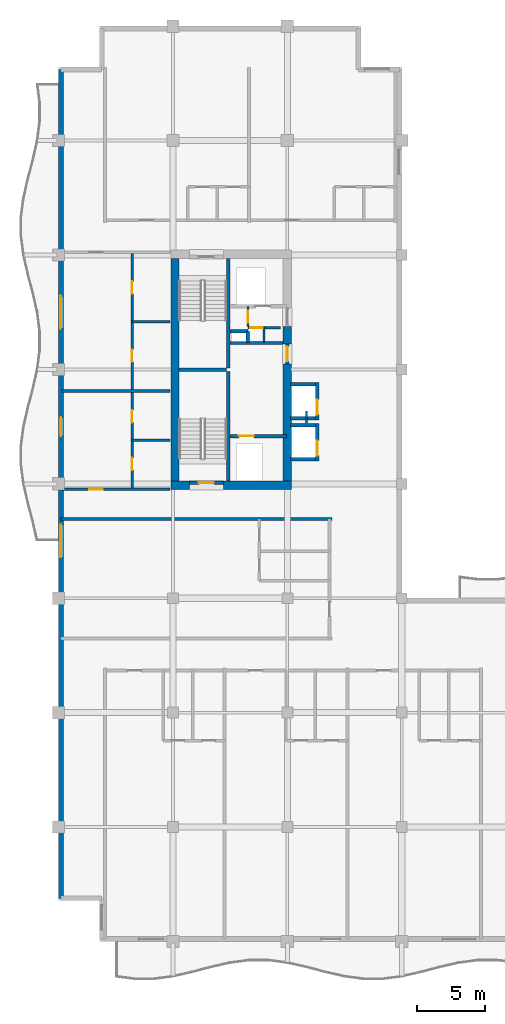
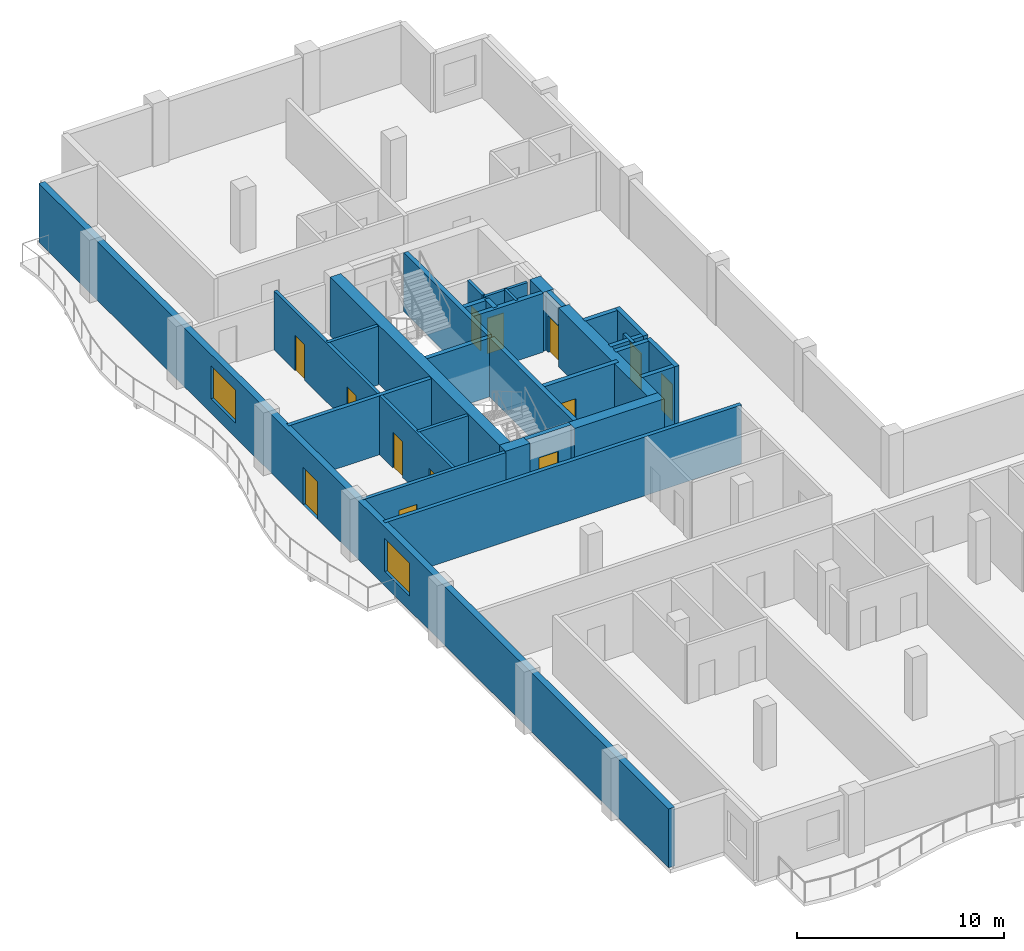
# One storey, part 6 of 12: 32 walls, 13 doors, 2 windows, 15 openings.
"""IFC4 building model written with IfcOpenShell, lengths in metres."""

from ifc_helpers import new_model, si_unit, direction, frame, frame_2d, origin, place, context, subcontext, project, spatial, rectangle, extrude, material, layer, layer_set, type_object, element, fill, save


model = new_model("IFC4")

# Units and contexts
model_context = context("Model", 3, precision=1e-05, world=origin(), true_north=direction((0.0, 1.0)))
body_context = subcontext(model_context, "Body", "Model", "MODEL_VIEW")
ifc_project = project(units=[si_unit("LENGTHUNIT", "METRE"), si_unit("AREAUNIT", "SQUARE_METRE"), si_unit("VOLUMEUNIT", "CUBIC_METRE"), si_unit("PLANEANGLEUNIT", "RADIAN"), si_unit("MASSUNIT", "GRAM", prefix="KILO")], contexts=[model_context])

# Site, building, storey
site_placement = place(None, origin())
site = spatial("IfcSite", under=ifc_project, at=site_placement, CompositionType="ELEMENT")
building_placement = place(site_placement, origin())
building = spatial("IfcBuilding", under=site, at=building_placement, Name="Koriwani Terraces Tower", CompositionType="ELEMENT")
storey_placement = place(building_placement, frame((0.0, 0.0, 241.60009765625)))
storey = spatial("IfcBuildingStorey", under=building, at=storey_placement, Name="L59", CompositionType="ELEMENT", Elevation=241.60009765625)

# Walls
ifc_material_1 = material(Name="Concrete C60/75", Category="concrete")
ifc_layer_1 = layer(ifc_material_1, 0.60009765625, Name="Concrete C60/75")
ifc_layer_set_1 = layer_set([ifc_layer_1], Name="Concrete C60/75")
wall_type_1 = type_object("IfcWallType", Name="WALL_CORE_RC_600", PredefinedType="SHEAR", material=ifc_layer_set_1)
wall_1_placement = place(storey_placement, frame((16.64990234375, 41.89990234375, 0.0), z_axis=(0.0, 0.0, 1.0), x_axis=(1.0, 0.0, 0.0)))
element("IfcWall", 1, at=wall_1_placement, inside=storey, type_object=wall_type_1, Name="L59 West Split Core Shear Wall S1", PredefinedType="SHEAR", context=body_context, shape_type="SweptSolid", body=[
    extrude(rectangle(XDim=1.35009765625, YDim=0.60009765625, at=frame_2d((0.675048828125, 0.0))), origin(), (0.0, 0.0, 1.0), 3.469970703125),
])
wall_2_placement = place(storey_placement, frame((20.5, 41.89990234375, 0.0), z_axis=(0.0, 0.0, 1.0), x_axis=(1.0, 0.0, 0.0)))
element("IfcWall", 2, at=wall_2_placement, inside=storey, type_object=wall_type_1, Name="L59 West Split Core Shear Wall S2", PredefinedType="SHEAR", context=body_context, shape_type="SweptSolid", body=[
    extrude(rectangle(XDim=5.0, YDim=0.60009765625, at=frame_2d((2.5, 0.0))), origin(), (0.0, 0.0, 1.0), 3.469970703125),
])
wall_3_placement = place(storey_placement, frame((16.949951171875, 42.199951171875, 0.0), z_axis=(0.0, 0.0, 1.0), x_axis=(0.0, 1.0, 0.0)))
element("IfcWall", 3, at=wall_3_placement, inside=storey, type_object=wall_type_1, Name="L59 West Split Core Shear Wall W1", PredefinedType="SHEAR", context=body_context, shape_type="SweptSolid", body=[
    extrude(rectangle(XDim=16.35009765625, YDim=0.60009765625, at=frame_2d((8.175048828125, 0.0))), origin(), (0.0, 0.0, 1.0), 3.469970703125),
])
wall_4_placement = place(storey_placement, frame((25.199951171875, 42.199951171875, 0.0), z_axis=(0.0, 0.0, 1.0), x_axis=(0.0, 1.0, 0.0)))
element("IfcWall", 4, at=wall_4_placement, inside=storey, type_object=wall_type_1, Name="L59 West Split Core Shear Wall E1", PredefinedType="SHEAR", context=body_context, shape_type="SweptSolid", body=[
    extrude(rectangle(XDim=8.60009765625, YDim=0.60009765625, at=frame_2d((4.300048828125, 0.0))), origin(), (0.0, 0.0, 1.0), 3.469970703125),
])
wall_5_placement = place(storey_placement, frame((25.199951171875, 52.280029296875, 0.0), z_axis=(0.0, 0.0, 1.0), x_axis=(0.0, 1.0, 0.0)))
element("IfcWall", 5, at=wall_5_placement, inside=storey, type_object=wall_type_1, Name="L59 West Split Core Shear Wall E2", PredefinedType="SHEAR", context=body_context, shape_type="SweptSolid", body=[
    extrude(rectangle(XDim=1.27001953125, YDim=0.60009765625, at=frame_2d((0.635009765625, 0.0))), origin(), (0.0, 0.0, 1.0), 3.469970703125),
])

# Wall, opening, door
ifc_material_2 = material(Name="Autoclaved Cellular Concrete Blockwork", Category="masonry")
ifc_layer_2 = layer(ifc_material_2, 0.199951171875, Name="Autoclaved Cellular Concrete Blockwork")
ifc_layer_set_2 = layer_set([ifc_layer_2], Name="Autoclaved Cellular Concrete Blockwork")
wall_type_2 = type_object("IfcWallType", Name="WALL_CORRIDOR_200", PredefinedType="PARTITIONING", material=ifc_layer_set_2)
wall_6_placement = place(storey_placement, frame((8.64990234375, 41.60009765625, 0.0), z_axis=(0.0, 0.0, 1.0), x_axis=(1.0, 0.0, 0.0)))
wall_6 = element("IfcWall", 6, at=wall_6_placement, inside=storey, type_object=wall_type_2, Name="L59 Interior Wall WRZ4-WS-L59", PredefinedType="PARTITIONING", context=body_context, shape_type="SweptSolid", body=[
    extrude(rectangle(XDim=7.9501953125, YDim=0.199951171875, at=frame_2d((3.97509765625, 0.0))), origin(), (0.0, 0.0, 1.0), 3.469970703125),
])
opening_1_placement = place(wall_6_placement, frame((2.0, 0.0, 0.0)))
opening_1 = element("IfcOpeningElement", 7, at=opening_1_placement, cuts=wall_6, Name="Opening D-05", PredefinedType="OPENING", context=body_context, shape_type="SweptSolid", body=[
    extrude(rectangle(XDim=1.0, YDim=2.14990234375, at=frame_2d((0.5, 1.074951171875))), frame((0.0, 0.10986328125, 0.0), z_axis=(0.0, -1.0, 0.0), x_axis=(1.0, 0.0, 0.0)), (0.0, 0.0, 1.0), 0.219970703125),
])
ifc_material_3 = material(Name="Architectural Oak Fire Door", Category="wood")
door_type_1 = type_object("IfcDoorType", Name="DOOR_SUITE_ENTRY_1000X2150", OperationType="NOTDEFINED", PredefinedType="DOOR", material=ifc_material_3)
door_1_placement = place(opening_1_placement, origin())
door_1 = element("IfcDoor", 8, at=door_1_placement, inside=storey, type_object=door_type_1, Name="Apartment 59RW1 Entrance Door", OperationType="SINGLE_SWING_LEFT", OverallHeight=2.14990234375, OverallWidth=1.0, PredefinedType="DOOR", context=body_context, shape_type="SweptSolid", body=[
    extrude(rectangle(XDim=1.0, YDim=2.14990234375, at=frame_2d((0.5, 1.074951171875))), frame((0.0, 0.02490234375, 0.0), z_axis=(0.0, -1.0, 0.0), x_axis=(1.0, 0.0, 0.0)), (0.0, 0.0, 1.0), 0.050048828125),
])
fill(opening_1, door_1)

# Walls
ifc_layer_3 = layer(ifc_material_2, 0.219970703125, Name="Autoclaved Cellular Concrete Blockwork")
ifc_layer_set_3 = layer_set([ifc_layer_3], Name="Autoclaved Cellular Concrete Blockwork")
wall_type_3 = type_object("IfcWallType", Name="WALL_DEMISING_220", PredefinedType="PARTITIONING", material=ifc_layer_set_3)
wall_7_placement = place(storey_placement, frame((8.64990234375, 48.800048828125, 0.0), z_axis=(0.0, 0.0, 1.0), x_axis=(1.0, 0.0, 0.0)))
element("IfcWall", 9, at=wall_7_placement, inside=storey, type_object=wall_type_3, Name="L59 Interior Wall WRZ4-WM-L59", PredefinedType="PARTITIONING", context=body_context, shape_type="SweptSolid", body=[
    extrude(rectangle(XDim=7.9501953125, YDim=0.219970703125, at=frame_2d((3.97509765625, 0.0))), origin(), (0.0, 0.0, 1.0), 3.469970703125),
])
wall_8_placement = place(storey_placement, frame((8.60009765625, 39.39990234375, 0.0), z_axis=(0.0, 0.0, 1.0), x_axis=(1.0, 0.0, 0.0)))
element("IfcWall", 10, at=wall_8_placement, inside=storey, type_object=wall_type_3, Name="L59 Interior Wall WRDEME-L59-NE", PredefinedType="PARTITIONING", context=body_context, shape_type="SweptSolid", body=[
    extrude(rectangle(XDim=19.8798828125, YDim=0.219970703125, at=frame_2d((9.93994140625, 0.0))), origin(), (0.0, 0.0, 1.0), 3.469970703125),
])

# Wall, openings, door, windows
ifc_material_4 = material(Name="Concrete C50/60", Category="concrete")
ifc_layer_4 = layer(ifc_material_4, 0.35009765625, Name="Concrete C50/60")
ifc_layer_set_4 = layer_set([ifc_layer_4], Name="Concrete C50/60")
wall_type_4 = type_object("IfcWallType", Name="WALL_EXT_BRUTALIST_350", PredefinedType="STANDARD", material=ifc_layer_set_4)
wall_9_placement = place(storey_placement, frame((8.574951171875, 11.574951171875, 0.0), z_axis=(0.0, 0.0, 1.0), x_axis=(0.0, 1.0, 0.0)))
wall_9 = element("IfcWall", 11, at=wall_9_placement, inside=storey, type_object=wall_type_4, Name="L59 Fair-Faced Brutalist Exterior Wall (W)", PredefinedType="STANDARD", context=body_context, shape_type="SweptSolid", body=[
    extrude(rectangle(XDim=60.85009765625, YDim=0.35009765625, at=frame_2d((30.425048828125, 0.0))), origin(), (0.0, 0.0, 1.0), 3.469970703125),
])
opening_2_placement = place(wall_9_placement, frame((33.925048828125, 0.0, 0.0)))
opening_2 = element("IfcOpeningElement", 12, at=opening_2_placement, cuts=wall_9, Name="Opening D-09", PredefinedType="OPENING", context=body_context, shape_type="SweptSolid", body=[
    extrude(rectangle(XDim=1.39990234375, YDim=2.199951171875, at=frame_2d((0.699951171875, 1.10009765625))), frame((0.0, 0.18505859375, 0.0), z_axis=(0.0, -1.0, 0.0), x_axis=(1.0, 0.0, 0.0)), (0.0, 0.0, 1.0), 0.3701171875),
])
opening_3_placement = place(wall_9_placement, frame((25.02490234375, 0.0, 0.85009765625)))
opening_3 = element("IfcOpeningElement", 13, at=opening_3_placement, cuts=wall_9, Name="Opening W-03", PredefinedType="OPENING", context=body_context, shape_type="SweptSolid", body=[
    extrude(rectangle(XDim=2.39990234375, YDim=1.949951171875, at=frame_2d((1.199951171875, 0.97509765625))), frame((0.0, 0.18505859375, 0.0), z_axis=(0.0, -1.0, 0.0), x_axis=(1.0, 0.0, 0.0)), (0.0, 0.0, 1.0), 0.3701171875),
])
opening_4_placement = place(wall_9_placement, frame((41.824951171875, 0.0, 0.85009765625)))
opening_4 = element("IfcOpeningElement", 14, at=opening_4_placement, cuts=wall_9, Name="Opening W-03", PredefinedType="OPENING", context=body_context, shape_type="SweptSolid", body=[
    extrude(rectangle(XDim=2.39990234375, YDim=1.949951171875, at=frame_2d((1.199951171875, 0.97509765625))), frame((0.0, 0.18505859375, 0.0), z_axis=(0.0, -1.0, 0.0), x_axis=(1.0, 0.0, 0.0)), (0.0, 0.0, 1.0), 0.3701171875),
])
ifc_material_5 = material(Name="Anodised Bronze Aluminium", Category="aluminium")
door_type_2 = type_object("IfcDoorType", Name="DOOR_BALCONY_GLAZED_1400X2200", OperationType="NOTDEFINED", PredefinedType="DOOR", material=ifc_material_5)
door_2_placement = place(opening_2_placement, origin())
door_2 = element("IfcDoor", 15, at=door_2_placement, inside=storey, type_object=door_type_2, Name="L59 West Balcony Glazed Door", OperationType="SINGLE_SWING_LEFT", OverallHeight=2.199951171875, OverallWidth=1.39990234375, PredefinedType="DOOR", context=body_context, shape_type="SweptSolid", body=[
    extrude(rectangle(XDim=1.39990234375, YDim=2.199951171875, at=frame_2d((0.699951171875, 1.10009765625))), frame((0.0, 0.02490234375, 0.0), z_axis=(0.0, -1.0, 0.0), x_axis=(1.0, 0.0, 0.0)), (0.0, 0.0, 1.0), 0.050048828125),
])
fill(opening_2, door_2)
ifc_material_6 = material(Name="Tempered Laminated Low-E Glass", Category="glass")
window_type = type_object("IfcWindowType", Name="WIN_RES_LIVING_2400X1950", PartitioningType="DOUBLE_PANEL_VERTICAL", PredefinedType="WINDOW", material=ifc_material_6)
window_1_placement = place(opening_3_placement, origin())
window_1 = element("IfcWindow", 16, at=window_1_placement, inside=storey, type_object=window_type, Name="L59 Exterior Window (W-9)", OverallHeight=1.949951171875, OverallWidth=2.39990234375, PartitioningType="SINGLE_PANEL", PredefinedType="WINDOW", context=body_context, shape_type="SweptSolid", body=[
    extrude(rectangle(XDim=2.39990234375, YDim=1.949951171875, at=frame_2d((1.199951171875, 0.97509765625))), frame((0.0, 0.030029296875, 0.0), z_axis=(0.0, -1.0, 0.0), x_axis=(1.0, 0.0, 0.0)), (0.0, 0.0, 1.0), 0.06005859375),
])
fill(opening_3, window_1)
window_2_placement = place(opening_4_placement, origin())
window_2 = element("IfcWindow", 17, at=window_2_placement, inside=storey, type_object=window_type, Name="L59 Exterior Window (W-15)", OverallHeight=1.949951171875, OverallWidth=2.39990234375, PartitioningType="SINGLE_PANEL", PredefinedType="WINDOW", context=body_context, shape_type="SweptSolid", body=[
    extrude(rectangle(XDim=2.39990234375, YDim=1.949951171875, at=frame_2d((1.199951171875, 0.97509765625))), frame((0.0, 0.030029296875, 0.0), z_axis=(0.0, -1.0, 0.0), x_axis=(1.0, 0.0, 0.0)), (0.0, 0.0, 1.0), 0.06005859375),
])
fill(opening_4, window_2)

# Wall, openings, doors
ifc_material_7 = material(Name="Fire-Rated Acoustic Gypsum Partition", Category="masonry")
ifc_layer_5 = layer(ifc_material_7, 0.179931640625, Name="Fire-Rated Acoustic Gypsum Partition")
ifc_layer_set_5 = layer_set([ifc_layer_5], Name="Fire-Rated Acoustic Gypsum Partition")
wall_type_5 = type_object("IfcWallType", Name="WALL_PLUMBING_180", PredefinedType="PLUMBINGWALL", material=ifc_layer_set_5)
wall_10_placement = place(storey_placement, frame((13.800048828125, 41.699951171875, 0.0), z_axis=(0.0, 0.0, 1.0), x_axis=(0.0, 1.0, 0.0)))
wall_10 = element("IfcWall", 18, at=wall_10_placement, inside=storey, type_object=wall_type_5, Name="L59 Interior Wall WRZ4-RW1-PB-L59", PredefinedType="PLUMBINGWALL", context=body_context, shape_type="SweptSolid", body=[
    extrude(rectangle(XDim=7.0, YDim=0.179931640625, at=frame_2d((3.5, 0.0))), origin(), (0.0, 0.0, 1.0), 3.469970703125),
])
opening_5_placement = place(wall_10_placement, frame((1.300048828125, 0.0, 0.0)))
opening_5 = element("IfcOpeningElement", 19, at=opening_5_placement, cuts=wall_10, Name="Opening D-07", PredefinedType="OPENING", context=body_context, shape_type="SweptSolid", body=[
    extrude(rectangle(XDim=0.89990234375, YDim=2.10009765625, at=frame_2d((0.449951171875, 1.050048828125))), frame((0.0, 0.10009765625, 0.0), z_axis=(0.0, -1.0, 0.0), x_axis=(1.0, 0.0, 0.0)), (0.0, 0.0, 1.0), 0.199951171875),
])
opening_6_placement = place(wall_10_placement, frame((4.7900390625, 0.0, 0.0)))
opening_6 = element("IfcOpeningElement", 20, at=opening_6_placement, cuts=wall_10, Name="Opening D-06", PredefinedType="OPENING", context=body_context, shape_type="SweptSolid", body=[
    extrude(rectangle(XDim=0.919921875, YDim=2.10009765625, at=frame_2d((0.4599609375, 1.050048828125))), frame((0.0, 0.10009765625, 0.0), z_axis=(0.0, -1.0, 0.0), x_axis=(1.0, 0.0, 0.0)), (0.0, 0.0, 1.0), 0.199951171875),
])
door_type_3 = type_object("IfcDoorType", Name="DOOR_BATH_INT_900X2100", OperationType="NOTDEFINED", PredefinedType="DOOR", material=ifc_material_3)
door_3_placement = place(opening_5_placement, origin())
door_3 = element("IfcDoor", 21, at=door_3_placement, inside=storey, type_object=door_type_3, Name="Apartment 59RW1 Bathroom Door", OperationType="SINGLE_SWING_LEFT", OverallHeight=2.10009765625, OverallWidth=0.89990234375, PredefinedType="DOOR", context=body_context, shape_type="SweptSolid", body=[
    extrude(rectangle(XDim=0.89990234375, YDim=2.10009765625, at=frame_2d((0.449951171875, 1.050048828125))), frame((0.0, 0.02490234375, 0.0), z_axis=(0.0, -1.0, 0.0), x_axis=(1.0, 0.0, 0.0)), (0.0, 0.0, 1.0), 0.050048828125),
])
fill(opening_5, door_3)
door_type_4 = type_object("IfcDoorType", Name="DOOR_ROOM_INT_920X2100", OperationType="NOTDEFINED", PredefinedType="DOOR", material=ifc_material_3)
door_4_placement = place(opening_6_placement, origin())
door_4 = element("IfcDoor", 22, at=door_4_placement, inside=storey, type_object=door_type_4, Name="Apartment 59RW1 Kitchen Door", OperationType="SINGLE_SWING_RIGHT", OverallHeight=2.10009765625, OverallWidth=0.919921875, PredefinedType="DOOR", context=body_context, shape_type="SweptSolid", body=[
    extrude(rectangle(XDim=0.919921875, YDim=2.10009765625, at=frame_2d((0.4599609375, 1.050048828125))), frame((0.0, 0.02490234375, 0.0), z_axis=(0.0, -1.0, 0.0), x_axis=(1.0, 0.0, 0.0)), (0.0, 0.0, 1.0), 0.050048828125),
])
fill(opening_6, door_4)

# Wall
wall_11_placement = place(storey_placement, frame((13.800048828125, 45.199951171875, 0.0), z_axis=(0.0, 0.0, 1.0), x_axis=(1.0, 0.0, 0.0)))
element("IfcWall", 23, at=wall_11_placement, inside=storey, type_object=wall_type_5, Name="L59 Interior Wall WRZ4-RW1-P2-L59", PredefinedType="PLUMBINGWALL", context=body_context, shape_type="SweptSolid", body=[
    extrude(rectangle(XDim=2.800048828125, YDim=0.179931640625, at=frame_2d((1.39990234375, 0.0))), origin(), (0.0, 0.0, 1.0), 3.469970703125),
])

# Wall, openings, doors
wall_12_placement = place(storey_placement, frame((13.800048828125, 48.89990234375, 0.0), z_axis=(0.0, 0.0, 1.0), x_axis=(0.0, 1.0, 0.0)))
wall_12 = element("IfcWall", 24, at=wall_12_placement, inside=storey, type_object=wall_type_5, Name="L59 Interior Wall WRZ4-RW2-PB-L59", PredefinedType="PLUMBINGWALL", context=body_context, shape_type="SweptSolid", body=[
    extrude(rectangle(XDim=10.0, YDim=0.179931640625, at=frame_2d((5.0, 0.0))), origin(), (0.0, 0.0, 1.0), 3.469970703125),
])
opening_7_placement = place(wall_12_placement, frame((2.050048828125, 0.0, 0.0)))
opening_7 = element("IfcOpeningElement", 25, at=opening_7_placement, cuts=wall_12, Name="Opening D-07", PredefinedType="OPENING", context=body_context, shape_type="SweptSolid", body=[
    extrude(rectangle(XDim=0.89990234375, YDim=2.10009765625, at=frame_2d((0.449951171875, 1.050048828125))), frame((0.0, 0.10009765625, 0.0), z_axis=(0.0, -1.0, 0.0), x_axis=(1.0, 0.0, 0.0)), (0.0, 0.0, 1.0), 0.199951171875),
])
opening_8_placement = place(wall_12_placement, frame((7.0400390625, 0.0, 0.0)))
opening_8 = element("IfcOpeningElement", 26, at=opening_8_placement, cuts=wall_12, Name="Opening D-06", PredefinedType="OPENING", context=body_context, shape_type="SweptSolid", body=[
    extrude(rectangle(XDim=0.919921875, YDim=2.10009765625, at=frame_2d((0.4599609375, 1.050048828125))), frame((0.0, 0.10009765625, 0.0), z_axis=(0.0, -1.0, 0.0), x_axis=(1.0, 0.0, 0.0)), (0.0, 0.0, 1.0), 0.199951171875),
])
door_5_placement = place(opening_7_placement, origin())
door_5 = element("IfcDoor", 27, at=door_5_placement, inside=storey, type_object=door_type_3, Name="Apartment 59RW2 Bathroom Door", OperationType="SINGLE_SWING_LEFT", OverallHeight=2.10009765625, OverallWidth=0.89990234375, PredefinedType="DOOR", context=body_context, shape_type="SweptSolid", body=[
    extrude(rectangle(XDim=0.89990234375, YDim=2.10009765625, at=frame_2d((0.449951171875, 1.050048828125))), frame((0.0, 0.02490234375, 0.0), z_axis=(0.0, -1.0, 0.0), x_axis=(1.0, 0.0, 0.0)), (0.0, 0.0, 1.0), 0.050048828125),
])
fill(opening_7, door_5)
door_6_placement = place(opening_8_placement, origin())
door_6 = element("IfcDoor", 28, at=door_6_placement, inside=storey, type_object=door_type_4, Name="Apartment 59RW2 Kitchen Door", OperationType="SINGLE_SWING_RIGHT", OverallHeight=2.10009765625, OverallWidth=0.919921875, PredefinedType="DOOR", context=body_context, shape_type="SweptSolid", body=[
    extrude(rectangle(XDim=0.919921875, YDim=2.10009765625, at=frame_2d((0.4599609375, 1.050048828125))), frame((0.0, 0.02490234375, 0.0), z_axis=(0.0, -1.0, 0.0), x_axis=(1.0, 0.0, 0.0)), (0.0, 0.0, 1.0), 0.050048828125),
])
fill(opening_8, door_6)

# Walls
wall_13_placement = place(storey_placement, frame((13.800048828125, 53.89990234375, 0.0), z_axis=(0.0, 0.0, 1.0), x_axis=(1.0, 0.0, 0.0)))
element("IfcWall", 29, at=wall_13_placement, inside=storey, type_object=wall_type_5, Name="L59 Interior Wall WRZ4-RW2-P2-L59", PredefinedType="PLUMBINGWALL", context=body_context, shape_type="SweptSolid", body=[
    extrude(rectangle(XDim=2.800048828125, YDim=0.179931640625, at=frame_2d((1.39990234375, 0.0))), origin(), (0.0, 0.0, 1.0), 3.469970703125),
])
ifc_material_8 = material(Name="Concrete C40/50", Category="concrete")
ifc_layer_6 = layer(ifc_material_8, 0.25, Name="Concrete C40/50")
ifc_layer_set_6 = layer_set([ifc_layer_6], Name="Concrete C40/50")
wall_type_6 = type_object("IfcWallType", Name="WALL_SHAFT_RATED_250", PredefinedType="SOLIDWALL", material=ifc_layer_set_6)
for number, where, z_axis, x_axis, name in (
    (30, (20.875, 42.199951171875, 0.0), (0.0, 0.0, 1.0), (0.0, 1.0, 0.0), "L59 West Split Core Web Wall MID1"),
    (31, (20.875, 50.5, 0.0), (0.0, 0.0, 1.0), (0.0, 1.0, 0.0), "L59 West Split Core Web Wall MID2"),
):
    element("IfcWall", number, at=place(storey_placement, frame(where, z_axis=z_axis, x_axis=x_axis)), inside=storey, type_object=wall_type_6, Name=name, PredefinedType="SOLIDWALL", context=body_context, shape_type="SweptSolid", body=[
        extrude(rectangle(XDim=8.050048828125, YDim=0.25, at=frame_2d((4.02490234375, 0.0))), origin(), (0.0, 0.0, 1.0), 3.469970703125),
    ])
wall_14_placement = place(storey_placement, frame((17.25, 50.375, 0.0), z_axis=(0.0, 0.0, 1.0), x_axis=(1.0, 0.0, 0.0)))
element("IfcWall", 32, at=wall_14_placement, inside=storey, type_object=wall_type_6, Name="L59 West Split Core Stair Dividing Wall", PredefinedType="SOLIDWALL", context=body_context, shape_type="SweptSolid", body=[
    extrude(rectangle(XDim=3.5, YDim=0.25, at=frame_2d((1.75, 0.0))), origin(), (0.0, 0.0, 1.0), 3.469970703125),
])

# Wall, opening, door
wall_15_placement = place(storey_placement, frame((18.0, 42.074951171875, 0.0), z_axis=(0.0, 0.0, 1.0), x_axis=(1.0, 0.0, 0.0)))
wall_15 = element("IfcWall", 33, at=wall_15_placement, inside=storey, type_object=wall_type_6, Name="L59 Interior Wall WIN-CW-L59-STS", PredefinedType="SOLIDWALL", context=body_context, shape_type="SweptSolid", body=[
    extrude(rectangle(XDim=2.5, YDim=0.25, at=frame_2d((1.25, 0.0))), origin(), (0.0, 0.0, 1.0), 3.469970703125),
])
opening_9_placement = place(wall_15_placement, frame((0.699951171875, 0.0, 0.0)))
opening_9 = element("IfcOpeningElement", 34, at=opening_9_placement, cuts=wall_15, Name="Opening D-03", PredefinedType="OPENING", context=body_context, shape_type="SweptSolid", body=[
    extrude(rectangle(XDim=1.10009765625, YDim=2.14990234375, at=frame_2d((0.550048828125, 1.074951171875))), frame((0.0, 0.135009765625, 0.0), z_axis=(0.0, -1.0, 0.0), x_axis=(1.0, 0.0, 0.0)), (0.0, 0.0, 1.0), 0.27001953125),
])
ifc_material_9 = material(Name="Steel ASTM A572 Grade 50", Category="steel")
door_type_5 = type_object("IfcDoorType", Name="DOOR_STAIR_FIRE_1100X2150", OperationType="NOTDEFINED", PredefinedType="DOOR", material=ifc_material_9)
door_7_placement = place(opening_9_placement, origin())
door_7 = element("IfcDoor", 35, at=door_7_placement, inside=storey, type_object=door_type_5, Name="L59 Exit Stair ST-W1 Door", OperationType="SINGLE_SWING_LEFT", OverallHeight=2.14990234375, OverallWidth=1.10009765625, PredefinedType="DOOR", context=body_context, shape_type="SweptSolid", body=[
    extrude(rectangle(XDim=1.10009765625, YDim=2.14990234375, at=frame_2d((0.550048828125, 1.074951171875))), frame((0.0, 0.02490234375, 0.0), z_axis=(0.0, -1.0, 0.0), x_axis=(1.0, 0.0, 0.0)), (0.0, 0.0, 1.0), 0.050048828125),
])
fill(opening_9, door_7)

wall_16_placement = place(storey_placement, frame((21.0, 45.5, 0.0), z_axis=(0.0, 0.0, 1.0), x_axis=(1.0, 0.0, 0.0)))
wall_16 = element("IfcWall", 36, at=wall_16_placement, inside=storey, type_object=wall_type_6, Name="L59 Interior Wall WIN-CW-L59-FE", PredefinedType="SOLIDWALL", context=body_context, shape_type="SweptSolid", body=[
    extrude(rectangle(XDim=4.14990234375, YDim=0.25, at=frame_2d((2.074951171875, 0.0))), origin(), (0.0, 0.0, 1.0), 3.469970703125),
])
opening_10_placement = place(wall_16_placement, frame((0.64990234375, 0.0, 0.0)))
opening_10 = element("IfcOpeningElement", 37, at=opening_10_placement, cuts=wall_16, Name="Opening LD-01", PredefinedType="OPENING", context=body_context, shape_type="SweptSolid", body=[
    extrude(rectangle(XDim=1.10009765625, YDim=2.14990234375, at=frame_2d((0.550048828125, 1.074951171875))), frame((0.0, 0.135009765625, 0.0), z_axis=(0.0, -1.0, 0.0), x_axis=(1.0, 0.0, 0.0)), (0.0, 0.0, 1.0), 0.27001953125),
])
door_type_6 = type_object("IfcDoorType", Name="DOOR_LIFT_LANDING_1100X2200", OperationType="NOTDEFINED", PredefinedType="DOOR", material=ifc_material_9)
door_8_placement = place(opening_10_placement, origin())
door_8 = element("IfcDoor", 38, at=door_8_placement, inside=storey, type_object=door_type_6, Name="L59 Firefighting Lift FE-01 Landing Door", OperationType="SLIDING_TO_LEFT", OverallHeight=2.14990234375, OverallWidth=1.10009765625, PredefinedType="DOOR", context=body_context, shape_type="SweptSolid", body=[
    extrude(rectangle(XDim=1.10009765625, YDim=2.14990234375, at=frame_2d((0.550048828125, 1.074951171875))), frame((0.0, 0.02490234375, 0.0), z_axis=(0.0, -1.0, 0.0), x_axis=(1.0, 0.0, 0.0)), (0.0, 0.0, 1.0), 0.050048828125),
])
fill(opening_10, door_8)

wall_17_placement = place(storey_placement, frame((25.199951171875, 50.800048828125, 0.0), z_axis=(0.0, 0.0, 1.0), x_axis=(0.0, 1.0, 0.0)))
wall_17 = element("IfcWall", 39, at=wall_17_placement, inside=storey, type_object=wall_type_6, Name="L59 Interior Wall WIN-CW-L59-EP", PredefinedType="SOLIDWALL", context=body_context, shape_type="SweptSolid", body=[
    extrude(rectangle(XDim=1.47998046875, YDim=0.25, at=frame_2d((0.739990234375, 0.0))), origin(), (0.0, 0.0, 1.0), 3.469970703125),
])
opening_11_placement = place(wall_17_placement, frame((0.179931640625, 0.0, 0.0)))
opening_11 = element("IfcOpeningElement", 40, at=opening_11_placement, cuts=wall_17, Name="Opening D-03", PredefinedType="OPENING", context=body_context, shape_type="SweptSolid", body=[
    extrude(rectangle(XDim=1.10009765625, YDim=2.14990234375, at=frame_2d((0.550048828125, 1.074951171875))), frame((0.0, 0.135009765625, 0.0), z_axis=(0.0, -1.0, 0.0), x_axis=(1.0, 0.0, 0.0)), (0.0, 0.0, 1.0), 0.27001953125),
])
door_9_placement = place(opening_11_placement, origin())
door_9 = element("IfcDoor", 41, at=door_9_placement, inside=storey, type_object=door_type_5, Name="L59 West Firefighting Lobby Door", OperationType="SINGLE_SWING_LEFT", OverallHeight=2.14990234375, OverallWidth=1.10009765625, PredefinedType="DOOR", context=body_context, shape_type="SweptSolid", body=[
    extrude(rectangle(XDim=1.10009765625, YDim=2.14990234375, at=frame_2d((0.550048828125, 1.074951171875))), frame((0.0, 0.02490234375, 0.0), z_axis=(0.0, -1.0, 0.0), x_axis=(1.0, 0.0, 0.0)), (0.0, 0.0, 1.0), 0.050048828125),
])
fill(opening_11, door_9)

# Walls
wall_18_placement = place(storey_placement, frame((21.0, 52.340087890625, 0.0), z_axis=(0.0, 0.0, 1.0), x_axis=(1.0, 0.0, 0.0)))
element("IfcWall", 42, at=wall_18_placement, inside=storey, type_object=wall_type_6, Name="L59 Interior Wall WIN-CW-L59-FFN", PredefinedType="SOLIDWALL", context=body_context, shape_type="SweptSolid", body=[
    extrude(rectangle(XDim=3.89990234375, YDim=0.25, at=frame_2d((1.949951171875, 0.0))), origin(), (0.0, 0.0, 1.0), 3.469970703125),
])
wall_19_placement = place(storey_placement, frame((21.0, 53.199951171875, 0.0), z_axis=(0.0, 0.0, 1.0), x_axis=(1.0, 0.0, 0.0)))
element("IfcWall", 43, at=wall_19_placement, inside=storey, type_object=wall_type_6, Name="L59 Interior Wall WIN-CW-L59-RS1", PredefinedType="SOLIDWALL", context=body_context, shape_type="SweptSolid", body=[
    extrude(rectangle(XDim=1.300048828125, YDim=0.25, at=frame_2d((0.64990234375, 0.0))), origin(), (0.0, 0.0, 1.0), 3.469970703125),
])
wall_20_placement = place(storey_placement, frame((22.300048828125, 52.360107421875, 0.0), z_axis=(0.0, 0.0, 1.0), x_axis=(0.0, 1.0, 0.0)))
element("IfcWall", 44, at=wall_20_placement, inside=storey, type_object=wall_type_6, Name="L59 Interior Wall WIN-CW-L59-RS2", PredefinedType="SOLIDWALL", context=body_context, shape_type="SweptSolid", body=[
    extrude(rectangle(XDim=0.83984375, YDim=0.25, at=frame_2d((0.419921875, 0.0))), origin(), (0.0, 0.0, 1.0), 3.469970703125),
])

# Wall, opening, door
wall_21_placement = place(storey_placement, frame((27.39990234375, 43.675048828125, 0.0), z_axis=(0.0, 0.0, 1.0), x_axis=(0.0, 1.0, 0.0)))
wall_21 = element("IfcWall", 45, at=wall_21_placement, inside=storey, type_object=wall_type_6, Name="L59 Interior Wall WIN-LF-PE-H1-L59-F", PredefinedType="SOLIDWALL", context=body_context, shape_type="SweptSolid", body=[
    extrude(rectangle(XDim=2.75, YDim=0.25, at=frame_2d((1.375, 0.0))), origin(), (0.0, 0.0, 1.0), 3.469970703125),
])
opening_12_placement = place(wall_21_placement, frame((0.39990234375, 0.0, 0.0)))
opening_12 = element("IfcOpeningElement", 46, at=opening_12_placement, cuts=wall_21, Name="Opening LD-01", PredefinedType="OPENING", context=body_context, shape_type="SweptSolid", body=[
    extrude(rectangle(XDim=1.10009765625, YDim=2.14990234375, at=frame_2d((0.550048828125, 1.074951171875))), frame((0.0, 0.135009765625, 0.0), z_axis=(0.0, -1.0, 0.0), x_axis=(1.0, 0.0, 0.0)), (0.0, 0.0, 1.0), 0.27001953125),
])
door_10_placement = place(opening_12_placement, origin())
door_10 = element("IfcDoor", 47, at=door_10_placement, inside=storey, type_object=door_type_6, Name="L59 Passenger Lift PE-H1 Landing Door", OperationType="SLIDING_TO_LEFT", OverallHeight=2.14990234375, OverallWidth=1.10009765625, PredefinedType="DOOR", context=body_context, shape_type="SweptSolid", body=[
    extrude(rectangle(XDim=1.10009765625, YDim=2.14990234375, at=frame_2d((0.550048828125, 1.074951171875))), frame((0.0, 0.02490234375, 0.0), z_axis=(0.0, -1.0, 0.0), x_axis=(1.0, 0.0, 0.0)), (0.0, 0.0, 1.0), 0.050048828125),
])
fill(opening_12, door_10)

# Walls
for number, where, z_axis, x_axis, name in (
    (48, (25.449951171875, 43.800048828125, 0.0), (0.0, 0.0, 1.0), (1.0, 0.0, 0.0), "L59 Interior Wall WIN-LF-PE-H1-L59-S"),
    (49, (25.449951171875, 46.300048828125, 0.0), (0.0, 0.0, 1.0), (1.0, 0.0, 0.0), "L59 Interior Wall WIN-LF-PE-H1-L59-N"),
):
    element("IfcWall", number, at=place(storey_placement, frame(where, z_axis=z_axis, x_axis=x_axis)), inside=storey, type_object=wall_type_6, Name=name, PredefinedType="SOLIDWALL", context=body_context, shape_type="SweptSolid", body=[
        extrude(rectangle(XDim=1.824951171875, YDim=0.25, at=frame_2d((0.91259765625, 0.0))), origin(), (0.0, 0.0, 1.0), 3.469970703125),
    ])

# Wall, opening, door
wall_22_placement = place(storey_placement, frame((27.39990234375, 46.675048828125, 0.0), z_axis=(0.0, 0.0, 1.0), x_axis=(0.0, 1.0, 0.0)))
wall_22 = element("IfcWall", 50, at=wall_22_placement, inside=storey, type_object=wall_type_6, Name="L59 Interior Wall WIN-LF-PE-H2-L59-F", PredefinedType="SOLIDWALL", context=body_context, shape_type="SweptSolid", body=[
    extrude(rectangle(XDim=2.75, YDim=0.25, at=frame_2d((1.375, 0.0))), origin(), (0.0, 0.0, 1.0), 3.469970703125),
])
opening_13_placement = place(wall_22_placement, frame((0.39990234375, 0.0, 0.0)))
opening_13 = element("IfcOpeningElement", 51, at=opening_13_placement, cuts=wall_22, Name="Opening LD-01", PredefinedType="OPENING", context=body_context, shape_type="SweptSolid", body=[
    extrude(rectangle(XDim=1.10009765625, YDim=2.14990234375, at=frame_2d((0.550048828125, 1.074951171875))), frame((0.0, 0.135009765625, 0.0), z_axis=(0.0, -1.0, 0.0), x_axis=(1.0, 0.0, 0.0)), (0.0, 0.0, 1.0), 0.27001953125),
])
door_11_placement = place(opening_13_placement, origin())
door_11 = element("IfcDoor", 52, at=door_11_placement, inside=storey, type_object=door_type_6, Name="L59 Passenger Lift PE-H2 Landing Door", OperationType="SLIDING_TO_LEFT", OverallHeight=2.14990234375, OverallWidth=1.10009765625, PredefinedType="DOOR", context=body_context, shape_type="SweptSolid", body=[
    extrude(rectangle(XDim=1.10009765625, YDim=2.14990234375, at=frame_2d((0.550048828125, 1.074951171875))), frame((0.0, 0.02490234375, 0.0), z_axis=(0.0, -1.0, 0.0), x_axis=(1.0, 0.0, 0.0)), (0.0, 0.0, 1.0), 0.050048828125),
])
fill(opening_13, door_11)

# Walls
for number, where, z_axis, x_axis, name in (
    (53, (25.449951171875, 46.800048828125, 0.0), (0.0, 0.0, 1.0), (1.0, 0.0, 0.0), "L59 Interior Wall WIN-LF-PE-H2-L59-S"),
    (54, (25.449951171875, 49.300048828125, 0.0), (0.0, 0.0, 1.0), (1.0, 0.0, 0.0), "L59 Interior Wall WIN-LF-PE-H2-L59-N"),
):
    element("IfcWall", number, at=place(storey_placement, frame(where, z_axis=z_axis, x_axis=x_axis)), inside=storey, type_object=wall_type_6, Name=name, PredefinedType="SOLIDWALL", context=body_context, shape_type="SweptSolid", body=[
        extrude(rectangle(XDim=1.824951171875, YDim=0.25, at=frame_2d((0.91259765625, 0.0))), origin(), (0.0, 0.0, 1.0), 3.469970703125),
    ])

# Wall, opening, door
ifc_layer_7 = layer(ifc_material_7, 0.159912109375, Name="Fire-Rated Acoustic Gypsum Partition")
ifc_layer_set_7 = layer_set([ifc_layer_7], Name="Fire-Rated Acoustic Gypsum Partition")
wall_type_7 = type_object("IfcWallType", Name="WALL_SUITE_160", PredefinedType="PARTITIONING", material=ifc_layer_set_7)
wall_23_placement = place(storey_placement, frame((22.320068359375, 53.56005859375, 0.0), z_axis=(0.0, 0.0, 1.0), x_axis=(0.0, 1.0, 0.0)))
wall_23 = element("IfcWall", 55, at=wall_23_placement, inside=storey, type_object=wall_type_7, Name="L59 Interior Wall WIN-CW-L59-SV2A", PredefinedType="PARTITIONING", context=body_context, shape_type="SweptSolid", body=[
    extrude(rectangle(XDim=1.43994140625, YDim=0.159912109375, at=frame_2d((0.719970703125, 0.0))), origin(), (0.0, 0.0, 1.0), 3.469970703125),
])
opening_14_placement = place(wall_23_placement, frame((0.260009765625, 0.0, 0.0)))
opening_14 = element("IfcOpeningElement", 56, at=opening_14_placement, cuts=wall_23, Name="Opening D-07", PredefinedType="OPENING", context=body_context, shape_type="SweptSolid", body=[
    extrude(rectangle(XDim=0.89990234375, YDim=2.10009765625, at=frame_2d((0.449951171875, 1.050048828125))), frame((0.0, 0.08984375, 0.0), z_axis=(0.0, -1.0, 0.0), x_axis=(1.0, 0.0, 0.0)), (0.0, 0.0, 1.0), 0.179931640625),
])
door_12_placement = place(opening_14_placement, origin())
door_12 = element("IfcDoor", 57, at=door_12_placement, inside=storey, type_object=door_type_3, Name="L59 West Meter Room Door", OperationType="SINGLE_SWING_LEFT", OverallHeight=2.10009765625, OverallWidth=0.89990234375, PredefinedType="DOOR", context=body_context, shape_type="SweptSolid", body=[
    extrude(rectangle(XDim=0.89990234375, YDim=2.10009765625, at=frame_2d((0.449951171875, 1.050048828125))), frame((0.0, 0.02490234375, 0.0), z_axis=(0.0, -1.0, 0.0), x_axis=(1.0, 0.0, 0.0)), (0.0, 0.0, 1.0), 0.050048828125),
])
fill(opening_14, door_12)

wall_24_placement = place(storey_placement, frame((22.320068359375, 53.4599609375, 0.0), z_axis=(0.0, 0.0, 1.0), x_axis=(1.0, 0.0, 0.0)))
wall_24 = element("IfcWall", 58, at=wall_24_placement, inside=storey, type_object=wall_type_7, Name="L59 Interior Wall WIN-CW-L59-SV2H", PredefinedType="PARTITIONING", context=body_context, shape_type="SweptSolid", body=[
    extrude(rectangle(XDim=2.35986328125, YDim=0.159912109375, at=frame_2d((1.179931640625, 0.0))), origin(), (0.0, 0.0, 1.0), 3.469970703125),
])
opening_15_placement = place(wall_24_placement, frame((0.159912109375, 0.0, 0.0)))
opening_15 = element("IfcOpeningElement", 59, at=opening_15_placement, cuts=wall_24, Name="Opening D-07", PredefinedType="OPENING", context=body_context, shape_type="SweptSolid", body=[
    extrude(rectangle(XDim=0.89990234375, YDim=2.10009765625, at=frame_2d((0.449951171875, 1.050048828125))), frame((0.0, 0.08984375, 0.0), z_axis=(0.0, -1.0, 0.0), x_axis=(1.0, 0.0, 0.0)), (0.0, 0.0, 1.0), 0.179931640625),
])
door_13_placement = place(opening_15_placement, origin())
door_13 = element("IfcDoor", 60, at=door_13_placement, inside=storey, type_object=door_type_3, Name="L59 West Valve Room Door", OperationType="SINGLE_SWING_RIGHT", OverallHeight=2.10009765625, OverallWidth=0.89990234375, PredefinedType="DOOR", context=body_context, shape_type="SweptSolid", body=[
    extrude(rectangle(XDim=0.89990234375, YDim=2.10009765625, at=frame_2d((0.449951171875, 1.050048828125))), frame((0.0, 0.02490234375, 0.0), z_axis=(0.0, -1.0, 0.0), x_axis=(1.0, 0.0, 0.0)), (0.0, 0.0, 1.0), 0.050048828125),
])
fill(opening_15, door_13)

# Walls
wall_25_placement = place(storey_placement, frame((23.47998046875, 52.360107421875, 0.0), z_axis=(0.0, 0.0, 1.0), x_axis=(0.0, 1.0, 0.0)))
element("IfcWall", 61, at=wall_25_placement, inside=storey, type_object=wall_type_7, Name="L59 Interior Wall WIN-CW-L59-SV2V", PredefinedType="PARTITIONING", context=body_context, shape_type="SweptSolid", body=[
    extrude(rectangle(XDim=1.099853515625, YDim=0.159912109375, at=frame_2d((0.5498046875, 0.0))), origin(), (0.0, 0.0, 1.0), 3.469970703125),
])
wall_26_placement = place(storey_placement, frame((26.60009765625, 46.4599609375, 0.0), z_axis=(0.0, 0.0, 1.0), x_axis=(0.0, 1.0, 0.0)))
element("IfcWall", 62, at=wall_26_placement, inside=storey, type_object=wall_type_7, Name="L59 Interior Wall WIN-LF-PEH12-MID-L59", PredefinedType="PARTITIONING", context=body_context, shape_type="SweptSolid", body=[
    extrude(rectangle(XDim=0.880126953125, YDim=0.159912109375, at=frame_2d((0.43994140625, 0.0))), origin(), (0.0, 0.0, 1.0), 3.469970703125),
])

save(model, "model.ifc")
